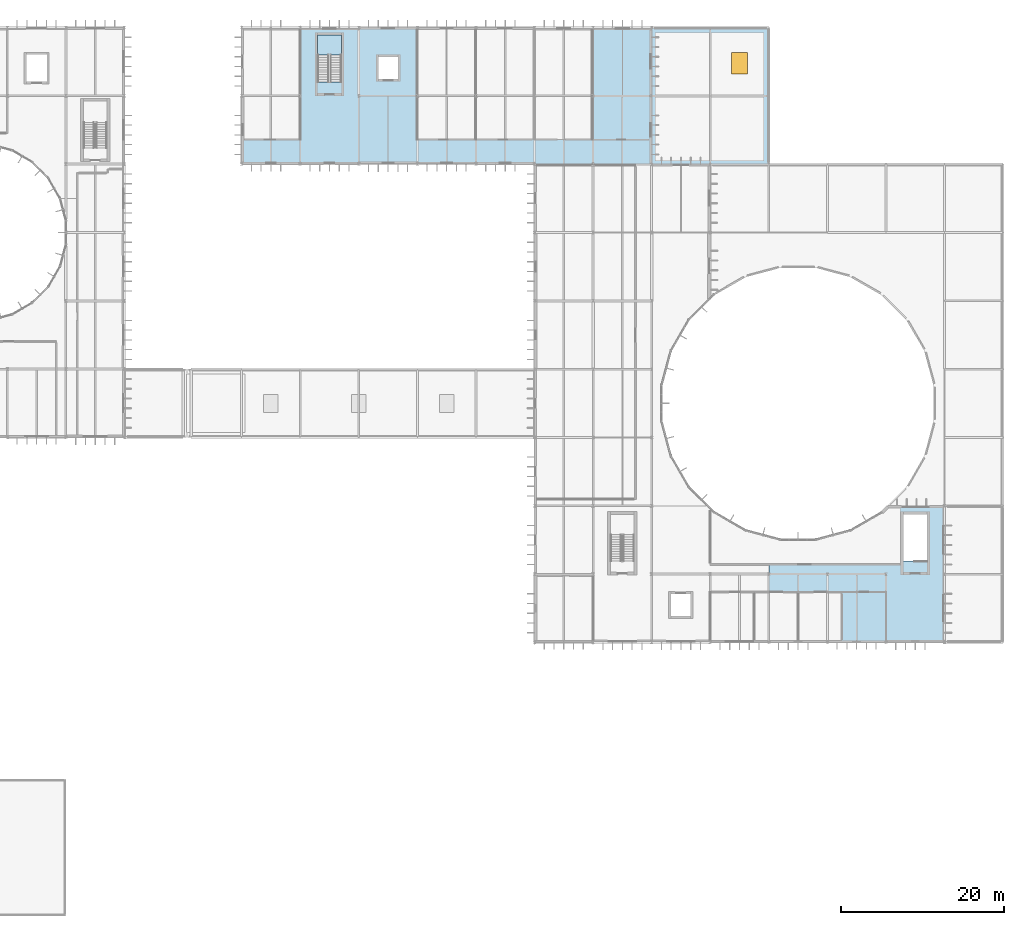
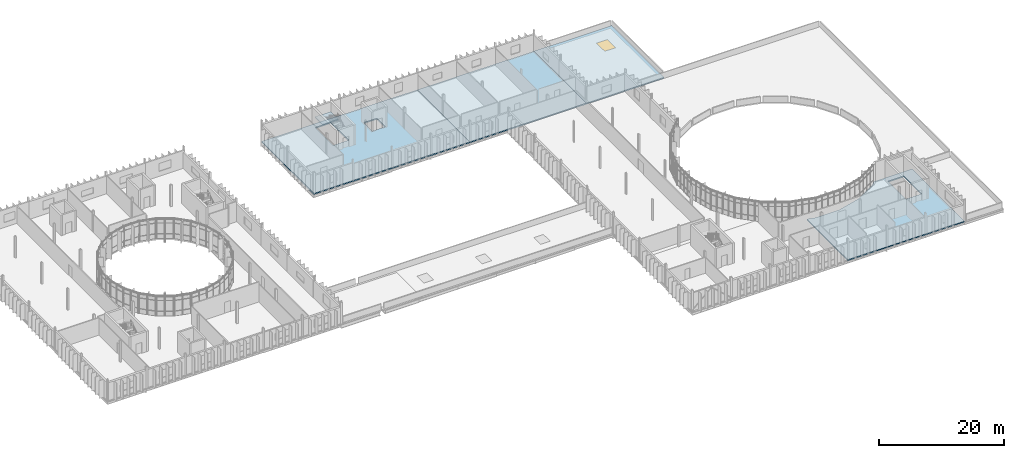
# One storey, part 37 of 61: 5 slabs, 1 window, 1 opening, 1 element without a shape of its own.
"""IFC4 building model written with IfcOpenShell, lengths in metres."""

from ifc_helpers import new_model, si_unit, direction, frame, origin, origin_2d, place, context, subcontext, project, spatial, polyline, rectangle, outline, extrude, material, layer, layer_set, type_object, element, fill, aggregate, save


model = new_model("IFC4")

# Units and contexts
model_context = context("Model", 3, precision=1e-05, world=origin(), true_north=direction((0.0, 1.0)))
body_context = subcontext(model_context, "Body", "Model", "MODEL_VIEW")
ifc_project = project(units=[si_unit("LENGTHUNIT", "METRE"), si_unit("AREAUNIT", "SQUARE_METRE"), si_unit("VOLUMEUNIT", "CUBIC_METRE"), si_unit("PLANEANGLEUNIT", "RADIAN"), si_unit("MASSUNIT", "GRAM", prefix="KILO")], contexts=[model_context])

# Site, building, storey
site_placement = place(None, origin())
site = spatial("IfcSite", under=ifc_project, at=site_placement, CompositionType="ELEMENT")
building_placement = place(site_placement, origin())
building = spatial("IfcBuilding", under=site, at=building_placement, Name="Qelthora Terrace Specialist Clinic", CompositionType="ELEMENT")
storey_placement = place(building_placement, frame((0.0, 0.0, 13.199951171875)))
storey = spatial("IfcBuildingStorey", under=building, at=storey_placement, Name="L03", CompositionType="ELEMENT", Elevation=13.199951171875)

# Slabs
ifc_material_1 = material(Name="Concrete C30/37", Category="concrete")
ifc_layer_1 = layer(ifc_material_1, 0.2099609375)
ifc_layer_set_1 = layer_set([ifc_layer_1], Name="Concrete C30/37")
slab_type_1 = type_object("IfcSlabType", Name="SLB-FLR-210-C30", PredefinedType="FLOOR", material=ifc_layer_set_1)
slab_1_placement = place(storey_placement, frame((0.0, 0.0, -0.2099609375)))
element("IfcSlab", 1, at=slab_1_placement, inside=storey, type_object=slab_type_1, Name="L03 V4 slab SLB-L03-V4-2A", PredefinedType="FLOOR", context=body_context, shape_type="SweptSolid", body=[
    extrude(outline(polyline([(144.0, 33.60009765625), (122.39990234375, 33.60009765625), (122.39990234375, 46.720703125), (123.80712890625, 46.34375), (128.19287109375, 46.34375), (132.42919921875, 47.478759765625), (136.227294921875, 49.671630859375), (136.95556640625, 50.39990234375), (144.0, 50.39990234375), (144.0, 33.60009765625)]), holes=[polyline([(141.85009765625, 49.35009765625), (138.949951171875, 49.35009765625), (138.949951171875, 43.6005859375), (141.85009765625, 43.6005859375), (141.85009765625, 49.35009765625)])]), origin(), (0.0, 0.0, 1.0), 0.2099609375),
])
ifc_layer_2 = layer(ifc_material_1, 0.22998046875)
ifc_layer_set_2 = layer_set([ifc_layer_2], Name="Concrete C30/37")
slab_type_2 = type_object("IfcSlabType", Name="SLB-LAB-230-C30", PredefinedType="FLOOR", material=ifc_layer_set_2)
slab_2_placement = place(storey_placement, frame((0.0, 0.0, -0.22998046875)))
element("IfcSlab", 2, at=slab_2_placement, inside=storey, type_object=slab_type_2, Name="L03 V6 slab SLB-L03-V6A", PredefinedType="FLOOR", context=body_context, shape_type="SweptSolid", body=[
    extrude(outline(polyline([(57.60009765625, 109.199951171875), (86.39990234375, 109.199951171875), (86.39990234375, 92.39990234375), (57.60009765625, 92.39990234375), (57.60009765625, 109.199951171875)]), holes=[polyline([(76.800048828125, 105.550048828125), (74.39990234375, 105.550048828125), (74.39990234375, 102.85009765625), (76.800048828125, 102.85009765625), (76.800048828125, 105.550048828125)]), polyline([(69.85009765625, 102.50048828125), (69.85009765625, 108.25), (66.949951171875, 108.25), (66.949951171875, 102.50048828125), (69.85009765625, 102.50048828125)])]), origin(), (0.0, 0.0, 1.0), 0.22998046875),
])
slab_3_placement = place(storey_placement, frame((0.0, 0.0, -0.22998046875)))
element("IfcSlab", 3, at=slab_3_placement, inside=storey, type_object=slab_type_2, Name="L03 V6 slab SLB-L03-V6B", PredefinedType="FLOOR", context=body_context, shape_type="SweptSolid", body=[
    extrude(outline(polyline([(86.39990234375, 109.199951171875), (108.0, 109.199951171875), (108.0, 92.39990234375), (86.39990234375, 92.39990234375), (86.39990234375, 109.199951171875)])), origin(), (0.0, 0.0, 1.0), 0.22998046875),
])

# Stair, slab
stair_type = type_object("IfcStairType", Name="STR-175-300", PredefinedType="HALF_TURN_STAIR", material=ifc_material_1)
stair_placement = place(storey_placement, origin())
stair = element("IfcStair", 4, at=stair_placement, inside=storey, type_object=stair_type, Name="L03 Enclosed Exit Stair ST-07", PredefinedType="HALF_TURN_STAIR")
ifc_layer_3 = layer(ifc_material_1, 0.199951171875)
ifc_layer_set_3 = layer_set([ifc_layer_3], Name="Concrete C30/37")
slab_type_3 = type_object("IfcSlabType", Name="SLB-LAND-200-C30", PredefinedType="LANDING", material=ifc_layer_set_3)
slab_4_placement = place(storey_placement, frame((0.0, 0.0, 1.900146484375)))
slab_4 = element("IfcSlab", 5, at=slab_4_placement, type_object=slab_type_3, Name="ST-07 landing 1", PredefinedType="LANDING", context=body_context, shape_type="SweptSolid", body=[
    extrude(outline(polyline([(69.85009765625, 105.800048828125), (69.85009765625, 108.25), (66.949951171875, 108.25), (66.949951171875, 105.800048828125), (69.85009765625, 105.800048828125)])), origin(), (0.0, 0.0, 1.0), 0.199951171875),
])
aggregate(stair, [slab_4])

# Slab, opening, window
ifc_layer_4 = layer(ifc_material_1, 0.22509765625)
ifc_layer_set_4 = layer_set([ifc_layer_4], Name="Concrete C30/37")
slab_type_4 = type_object("IfcSlabType", Name="SLB-ROOF-170-ZINC", PredefinedType="ROOF", material=ifc_layer_set_4)
slab_5_placement = place(storey_placement, frame((0.0, 0.0, -0.224853515625)))
slab_5 = element("IfcSlab", 6, at=slab_5_placement, inside=storey, type_object=slab_type_4, Name="Stepped wing roof slab ROOF-V6-STP3-1", PredefinedType="ROOF", context=body_context, shape_type="SweptSolid", body=[
    extrude(outline(polyline([(122.39990234375, 109.199951171875), (122.39990234375, 92.39990234375), (108.0, 92.39990234375), (108.0, 109.199951171875), (122.39990234375, 109.199951171875)])), origin(), (0.0, 0.0, 1.0), 0.224853515625),
])
opening_placement = place(slab_5_placement, frame((118.800048828125, 104.800048828125, 0.0)))
opening = element("IfcOpeningElement", 7, at=opening_placement, cuts=slab_5, Name="Opening SK-L03-08", PredefinedType="OPENING", context=body_context, shape_type="SweptSolid", body=[
    extrude(rectangle(XDim=2.0, YDim=2.60009765625, at=origin_2d()), frame((0.0, 0.0, -0.010009765625)), (0.0, 0.0, 1.0), 0.244873046875),
])
ifc_material_2 = material(Name="Low-E triple-silver insulating glass", Category="glass")
window_type = type_object("IfcWindowType", Name="SKY-2000X2600", PartitioningType="SINGLE_PANEL", PredefinedType="SKYLIGHT", material=ifc_material_2)
window_placement = place(opening_placement, frame((0.0, 0.0, 0.1748046875)))
window = element("IfcWindow", 8, at=window_placement, inside=storey, type_object=window_type, Name="Roof skylight SK-L03-08", OverallHeight=2.60009765625, OverallWidth=2.0, PartitioningType="SINGLE_PANEL", PredefinedType="SKYLIGHT", context=body_context, shape_type="SweptSolid", body=[
    extrude(rectangle(XDim=2.0, YDim=2.60009765625, at=origin_2d()), origin(), (0.0, 0.0, 1.0), 0.050048828125),
])
fill(opening, window)

save(model, "model.ifc")
